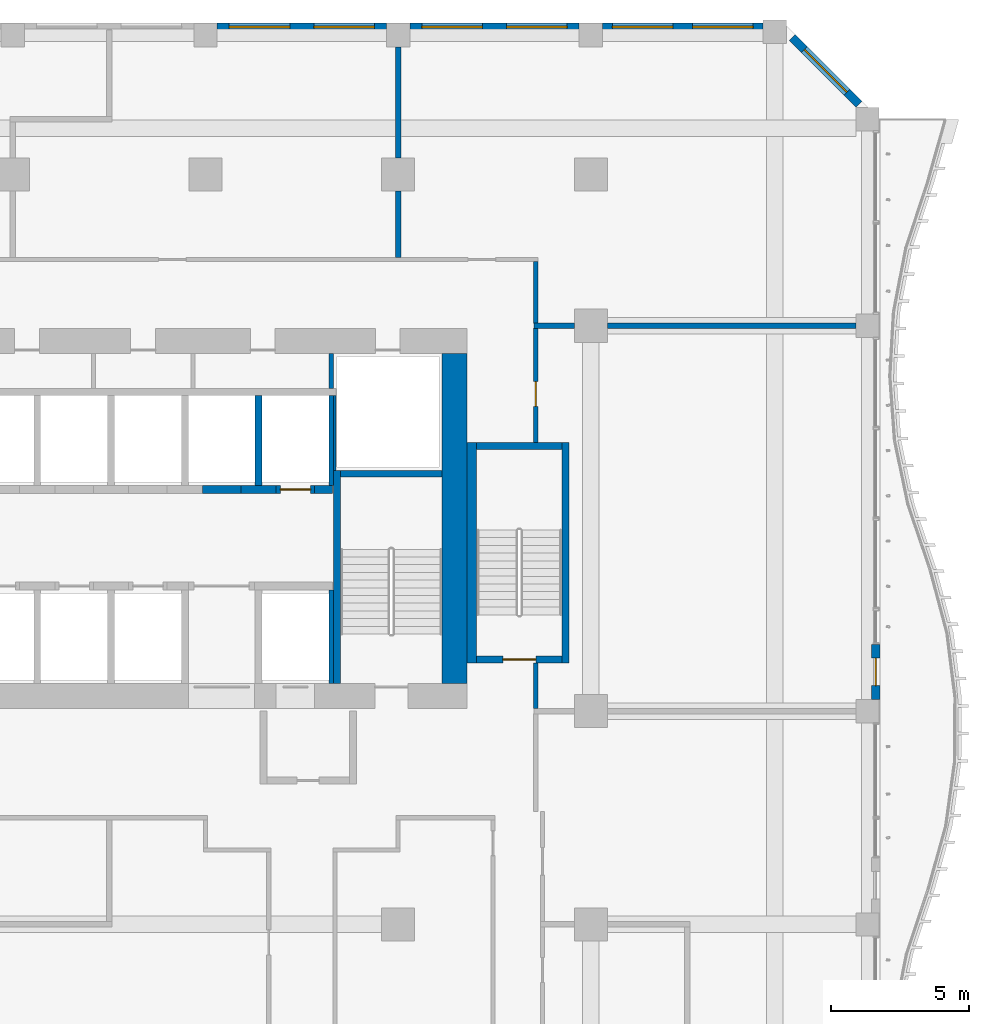
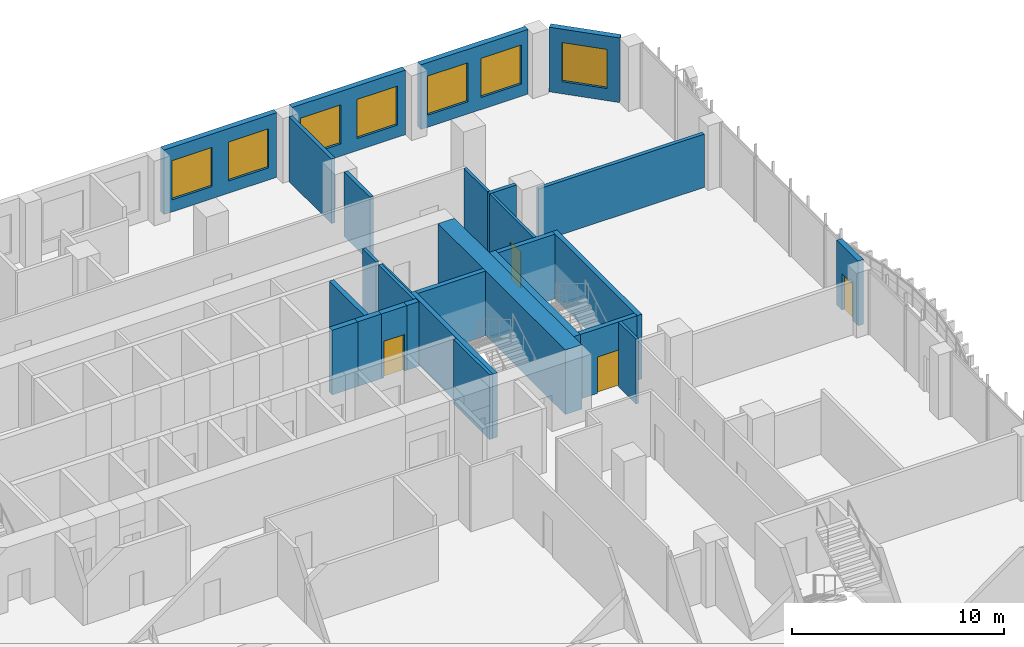
# One storey, part 15 of 26: 28 walls, 7 windows, 4 doors, 11 openings.
"""IFC4 building model written with IfcOpenShell, lengths in metres."""

import ifcopenshell
import ifcopenshell.guid

model = None  # the IFC model being written
_history = None  # IfcOwnerHistory: only IFC2X3 demands one
_inside = {}  # id of a spatial element -> (the spatial element, [elements in it])
_under = {}  # id of a project, library or spatial element -> (it, [spatial elements below it])
_declared = {}  # id of a project -> (the project, [libraries it declares])
_typed = {}  # id of a type object -> (the type object, [elements of that type])
_made_of = {}  # id of a material, layer set ... -> (it, [elements and type objects made of it])


def new_model(schema):
    """Start an empty IFC model of exactly this schema.

    Asked for "IFC4X3", IfcOpenShell would pick the latest addendum, in which some entities
    have other attributes; the version numbers below select the first issue.
    IFC2X3 requires an IfcOwnerHistory on every rooted entity: one is made here for all.
    """
    global model, _history
    if schema == "IFC4X3":
        model = ifcopenshell.file(schema_version=(4, 3, 0, 0))
    else:
        model = ifcopenshell.file(schema=schema)
    _inside.clear()
    _under.clear()
    _declared.clear()
    _typed.clear()
    _made_of.clear()
    _history = None
    if model.schema == "IFC2X3":
        org = make("IfcOrganization", Name="unknown")
        user = make(
            "IfcPersonAndOrganization",
            ThePerson=make("IfcPerson", FamilyName="unknown"),
            TheOrganization=org,
        )
        app = make(
            "IfcApplication",
            ApplicationDeveloper=org,
            Version="unknown",
            ApplicationFullName="unknown",
            ApplicationIdentifier="unknown",
        )
        _history = make(
            "IfcOwnerHistory",
            OwningUser=user,
            OwningApplication=app,
            ChangeAction="ADDED",
            CreationDate=0,
        )
    return model


def make(cls, **values):
    """One entity of the class cls with the attributes given. An attribute that is None is left unset."""
    return model.create_entity(
        cls, **{name: value for name, value in values.items() if value is not None}
    )


def rooted(cls, **values):
    """An entity with a GlobalId (a new one), such as an element, a storey or a relation."""
    return make(cls, GlobalId=ifcopenshell.guid.new(), OwnerHistory=_history, **values)


def si_unit(unit_type, name, prefix=None):
    """IfcSIUnit, for example si_unit("LENGTHUNIT", "METRE", prefix="MILLI")."""
    return make("IfcSIUnit", UnitType=unit_type, Prefix=prefix, Name=name)


def assignment(units):
    """IfcUnitAssignment: the units of a project."""
    return None if units is None else make("IfcUnitAssignment", Units=units)


def point(xyz):
    """IfcCartesianPoint."""
    return None if xyz is None else make("IfcCartesianPoint", Coordinates=xyz)


def direction(xyz):
    """IfcDirection."""
    return None if xyz is None else make("IfcDirection", DirectionRatios=xyz)


def frame(location, z_axis=None, x_axis=None):
    """IfcAxis2Placement3D, a coordinate frame: its origin and axes. An axis left out is left unset."""
    return make(
        "IfcAxis2Placement3D",
        Location=point(location),
        Axis=direction(z_axis),
        RefDirection=direction(x_axis),
    )


def frame_2d(location, x_axis=None):
    """IfcAxis2Placement2D, a coordinate frame in the plane: its origin and x axis."""
    return make(
        "IfcAxis2Placement2D", Location=point(location), RefDirection=direction(x_axis)
    )


def origin():
    """The frame at (0, 0, 0) with its axes left unset."""
    return frame((0.0, 0.0, 0.0))


def place(relative_to, where):
    """IfcLocalPlacement: puts the frame where relative to a parent placement (None: the world)."""
    return make(
        "IfcLocalPlacement", PlacementRelTo=relative_to, RelativePlacement=where
    )


def context(
    kind, dimensions, precision=None, world=None, true_north=None, identifier=None
):
    """IfcGeometricRepresentationContext, for example the 3D "Model" context."""
    return make(
        "IfcGeometricRepresentationContext",
        ContextIdentifier=identifier,
        ContextType=kind,
        CoordinateSpaceDimension=dimensions,
        Precision=precision,
        WorldCoordinateSystem=world,
        TrueNorth=true_north,
    )


def subcontext(parent, identifier, kind, view, scale=None):
    """IfcGeometricRepresentationSubContext, for example "Body" below "Model"."""
    return make(
        "IfcGeometricRepresentationSubContext",
        ContextIdentifier=identifier,
        ContextType=kind,
        ParentContext=parent,
        TargetScale=scale,
        TargetView=view,
    )


def project(units=None, contexts=None):
    """IfcProject with its units and contexts."""
    return rooted(
        "IfcProject",
        Name="project",
        RepresentationContexts=contexts,
        UnitsInContext=assignment(units),
    )


def spatial(cls, under=None, at=None, **own):
    """A site, building, storey or space (cls), placed at a placement, below another one or the project."""
    s = rooted(cls, ObjectPlacement=at, **own)
    if under is not None:
        _under.setdefault(under.id(), (under, []))[1].append(s)
    return s


def profile(cls, at=None, kind="AREA", **sizes):
    """A parametric profile (cls). Its sizes go by their IFC names, for example OverallWidth=200.0."""
    return make(cls, ProfileType=kind, Position=at, **sizes)


def rectangle(**sizes):
    """IfcRectangleProfileDef."""
    return profile("IfcRectangleProfileDef", **sizes)


def extrude(swept, where, along, depth):
    """IfcExtrudedAreaSolid: the profile swept, set in the frame where, extruded along a direction by depth."""
    return make(
        "IfcExtrudedAreaSolid",
        SweptArea=swept,
        Position=where,
        ExtrudedDirection=direction(along),
        Depth=depth,
    )


def shape(context_of_items, identifier, shape_type, items):
    """IfcShapeRepresentation: the items that make up one representation, for example the "Body"."""
    return make(
        "IfcShapeRepresentation",
        ContextOfItems=context_of_items,
        RepresentationIdentifier=identifier,
        RepresentationType=shape_type,
        Items=items,
    )


def source(mapping_origin, context_of_items, identifier, shape_type, items):
    """IfcRepresentationMap: a shape defined once, which mapped items show again and again."""
    return make(
        "IfcRepresentationMap",
        MappingOrigin=mapping_origin,
        MappedRepresentation=shape(context_of_items, identifier, shape_type, items),
    )


def transform(
    local_origin,
    x_axis=None,
    y_axis=None,
    z_axis=None,
    scale=None,
    scale2=None,
    scale3=None,
    uniform=True,
):
    """IfcCartesianTransformationOperator3D, or its non-uniform kind. x_axis, y_axis, z_axis: its Axis1, 2, 3."""
    if uniform:
        return make(
            "IfcCartesianTransformationOperator3D",
            Axis1=direction(x_axis),
            Axis2=direction(y_axis),
            LocalOrigin=point(local_origin),
            Scale=scale,
            Axis3=direction(z_axis),
        )
    return make(
        "IfcCartesianTransformationOperator3DnonUniform",
        Axis1=direction(x_axis),
        Axis2=direction(y_axis),
        LocalOrigin=point(local_origin),
        Scale=scale,
        Axis3=direction(z_axis),
        Scale2=scale2,
        Scale3=scale3,
    )


def mapped(mapping_source, mapping_target):
    """IfcMappedItem: shows the shape of a source again, moved by a transform."""
    return make(
        "IfcMappedItem", MappingSource=mapping_source, MappingTarget=mapping_target
    )


def material(Name=None, Category=None):
    """IfcMaterial."""
    return make("IfcMaterial", Name=Name, Category=Category)


def layer(
    of_material, thickness, ventilated=None, Name=None, Category=None, Priority=None
):
    """IfcMaterialLayer: one layer of a wall or slab, of a material (None: an air gap)."""
    return make(
        "IfcMaterialLayer",
        Material=of_material,
        LayerThickness=thickness,
        IsVentilated=ventilated,
        Name=Name,
        Category=Category,
        Priority=Priority,
    )


def layer_set(layers, Name=None):
    """IfcMaterialLayerSet."""
    return make("IfcMaterialLayerSet", MaterialLayers=layers, LayerSetName=Name)


def made_of(thing, what):
    """Note that an element or type object is made of a material, layer set ...; save() writes the relation."""
    if what is not None:
        _made_of.setdefault(what.id(), (what, []))[1].append(thing)
    return thing


def type_object(cls, material=None, **own):
    """A type object (cls), such as IfcWallType, which elements share."""
    return made_of(rooted(cls, **own), material)


def element(
    cls,
    number,
    at=None,
    inside=None,
    cuts=None,
    type_object=None,
    material=None,
    context=None,
    identifier="Body",
    shape_type=None,
    held_by="IfcProductDefinitionShape",
    body=None,
    shapes=None,
    **own,
):
    """One element of the class cls, such as IfcWall. Its Tag is "e" and its number.

    at: its placement. inside: the storey or other place that contains it. cuts: it is an
    opening in that element (IfcRelVoidsElement). A single representation is given by context,
    identifier, shape_type and body (its items); several are given by shapes. held_by: the class
    of the entity that holds the representations. save() writes the other relations.
    """
    e = rooted(cls, Tag="e%d" % number, ObjectPlacement=at, **own)
    if body is not None:
        shapes = [shape(context, identifier, shape_type, body)]
    if shapes is not None:
        e.Representation = make(held_by, Representations=shapes)
    if inside is not None:
        _inside.setdefault(inside.id(), (inside, []))[1].append(e)
    if cuts is not None:
        rooted(
            "IfcRelVoidsElement", RelatingBuildingElement=cuts, RelatedOpeningElement=e
        )
    if type_object is not None:
        _typed.setdefault(type_object.id(), (type_object, []))[1].append(e)
    return made_of(e, material)


def fill(opening, filler):
    """IfcRelFillsElement: the door or window that sits in an opening."""
    return rooted(
        "IfcRelFillsElement",
        RelatingOpeningElement=opening,
        RelatedBuildingElement=filler,
    )


def aggregate(whole, parts):
    """IfcRelAggregates: a whole, such as a stair, and the parts it consists of."""
    return rooted("IfcRelAggregates", RelatingObject=whole, RelatedObjects=parts)


def save(model, path):
    """Write the relations noted so far, then the file.

    IfcRelAggregates (storeys below a building ...), IfcRelContainedInSpatialStructure (elements
    in a storey), IfcRelDefinesByType, IfcRelAssociatesMaterial and IfcRelDeclares: one each for
    every whole, place, type object, material and project.
    """
    for whole, parts in _under.values():
        aggregate(whole, parts)
    for where, things in _inside.values():
        rooted(
            "IfcRelContainedInSpatialStructure",
            RelatedElements=things,
            RelatingStructure=where,
        )
    for kind, things in _typed.values():
        rooted("IfcRelDefinesByType", RelatedObjects=things, RelatingType=kind)
    for what, things in _made_of.values():
        rooted("IfcRelAssociatesMaterial", RelatedObjects=things, RelatingMaterial=what)
    for by, libraries in _declared.values():
        rooted("IfcRelDeclares", RelatingContext=by, RelatedDefinitions=libraries)
    model.write(path)


model = new_model("IFC4")

# Units and contexts
model_context = context("Model", 3, precision=1e-05, world=origin(), true_north=direction((0.0, 1.0)))
body_context = subcontext(model_context, "Body", "Model", "MODEL_VIEW")
ifc_project = project(units=[si_unit("LENGTHUNIT", "METRE"), si_unit("AREAUNIT", "SQUARE_METRE"), si_unit("VOLUMEUNIT", "CUBIC_METRE"), si_unit("PLANEANGLEUNIT", "RADIAN"), si_unit("MASSUNIT", "GRAM", prefix="KILO")], contexts=[model_context])

# Site, building, storey
site_placement = place(None, origin())
site = spatial("IfcSite", under=ifc_project, at=site_placement, CompositionType="ELEMENT")
building_placement = place(site_placement, origin())
building = spatial("IfcBuilding", under=site, at=building_placement, Name="Kilnfold Tower and Market Hall", CompositionType="ELEMENT")
storey_placement = place(building_placement, frame((0.0, 0.0, 108.60009765625)))
storey = spatial("IfcBuildingStorey", under=building, at=storey_placement, Name="L25", CompositionType="ELEMENT", Elevation=108.60009765625)

# Wall, opening, door
ifc_material_1 = material(Name="Gypsum board on steel studs", Category="steel")
ifc_layer_1 = layer(ifc_material_1, 0.14990234375)
ifc_layer_set_1 = layer_set([ifc_layer_1], Name="Gypsum board on steel studs")
wall_type_1 = type_object("IfcWallType", Name="WALL CORRIDOR 150", PredefinedType="PARTITIONING", material=ifc_layer_set_1)
wall_1_placement = place(storey_placement, frame((20.5, 17.75, 0.0), z_axis=(0.0, 0.0, 1.0), x_axis=(0.0, 1.0, 0.0)))
wall_1 = element("IfcWall", 1, at=wall_1_placement, inside=storey, type_object=wall_type_1, Name="Partition LY16.31", PredefinedType="PARTITIONING", context=body_context, shape_type="SweptSolid", body=[
    extrude(rectangle(XDim=4.159912109375, YDim=0.14990234375, at=frame_2d((2.080078125, 0.0))), origin(), (0.0, 0.0, 1.0), 3.719970703125),
])
opening_1_placement = place(wall_1_placement, frame((1.323974609375, 0.0, 0.0)))
opening_1 = element("IfcOpeningElement", 2, at=opening_1_placement, cuts=wall_1, Name="Opening D2", PredefinedType="OPENING", context=body_context, shape_type="SweptSolid", body=[
    extrude(rectangle(XDim=0.89990234375, YDim=2.10009765625, at=frame_2d((0.449951171875, 1.050048828125))), frame((0.0, 0.0849609375, 0.0), z_axis=(0.0, -1.0, 0.0), x_axis=(1.0, 0.0, 0.0)), (0.0, 0.0, 1.0), 0.169921875),
])
ifc_material_2 = material(Name="Timber veneer door leaf in steel frame", Category="steel")
door_type_1 = type_object("IfcDoorType", Name="DOOR ROOM 900 X2100", OperationType="NOTDEFINED", PredefinedType="DOOR", material=ifc_material_2)
door_1_placement = place(opening_1_placement, origin())
door_1 = element("IfcDoor", 3, at=door_1_placement, inside=storey, type_object=door_type_1, Name="Door D2", OperationType="SINGLE_SWING_RIGHT", OverallHeight=2.10009765625, OverallWidth=0.89990234375, PredefinedType="DOOR", context=body_context, shape_type="SweptSolid", body=[
    extrude(rectangle(XDim=0.89990234375, YDim=2.10009765625, at=frame_2d((0.449951171875, 1.050048828125))), frame((0.0, 0.02490234375, 0.0), z_axis=(0.0, -1.0, 0.0), x_axis=(1.0, 0.0, 0.0)), (0.0, 0.0, 1.0), 0.050048828125),
])
fill(opening_1, door_1)

# Walls
wall_2_placement = place(storey_placement, frame((20.5, 8.090087890625, 0.0), z_axis=(0.0, 0.0, 1.0), x_axis=(0.0, 1.0, 0.0)))
element("IfcWall", 4, at=wall_2_placement, inside=storey, type_object=wall_type_1, Name="Partition LY16.32", PredefinedType="PARTITIONING", context=body_context, shape_type="SweptSolid", body=[
    extrude(rectangle(XDim=1.659912109375, YDim=0.14990234375, at=frame_2d((0.830078125, 0.0))), origin(), (0.0, 0.0, 1.0), 3.719970703125),
])
wall_3_placement = place(storey_placement, frame((20.5, 22.090087890625, 0.0), z_axis=(0.0, 0.0, 1.0), x_axis=(0.0, 1.0, 0.0)))
element("IfcWall", 5, at=wall_3_placement, inside=storey, type_object=wall_type_1, Name="Partition LY16.33", PredefinedType="PARTITIONING", context=body_context, shape_type="SweptSolid", body=[
    extrude(rectangle(XDim=2.23486328125, YDim=0.14990234375, at=frame_2d((1.117431640625, 0.0))), origin(), (0.0, 0.0, 1.0), 3.719970703125),
])
ifc_material_3 = material(Name="Gypsum board on steel studs", Category="steel")
ifc_layer_2 = layer(ifc_material_3, 0.199951171875)
ifc_layer_set_2 = layer_set([ifc_layer_2], Name="Gypsum board on steel studs")
wall_type_2 = type_object("IfcWallType", Name="WALL PARTY 200", PredefinedType="PARTITIONING", material=ifc_layer_set_2)
wall_4_placement = place(storey_placement, frame((23.10009765625, 22.0, 0.0), z_axis=(0.0, 0.0, 1.0), x_axis=(1.0, 0.0, 0.0)))
element("IfcWall", 6, at=wall_4_placement, inside=storey, type_object=wall_type_2, Name="Partition LY16.59", PredefinedType="PARTITIONING", context=body_context, shape_type="SweptSolid", body=[
    extrude(rectangle(XDim=9.02490234375, YDim=0.199951171875, at=frame_2d((4.512451171875, 0.0))), origin(), (0.0, 0.0, 1.0), 3.06982421875),
])
wall_5_placement = place(storey_placement, frame((20.426025390625, 22.0, 0.0), z_axis=(0.0, 0.0, 1.0), x_axis=(1.0, 0.0, 0.0)))
element("IfcWall", 7, at=wall_5_placement, inside=storey, type_object=wall_type_2, Name="Partition LY16.60", PredefinedType="PARTITIONING", context=body_context, shape_type="SweptSolid", body=[
    extrude(rectangle(XDim=1.473876953125, YDim=0.199951171875, at=frame_2d((0.73681640625, 0.0))), origin(), (0.0, 0.0, 1.0), 3.719970703125),
])
wall_6_placement = place(storey_placement, frame((15.5, 28.10009765625, 0.0), z_axis=(0.0, 0.0, 1.0), x_axis=(0.0, 1.0, 0.0)))
element("IfcWall", 8, at=wall_6_placement, inside=storey, type_object=wall_type_2, Name="Partition LY16.61", PredefinedType="PARTITIONING", context=body_context, shape_type="SweptSolid", body=[
    extrude(rectangle(XDim=4.02490234375, YDim=0.199951171875, at=frame_2d((2.012451171875, 0.0))), origin(), (0.0, 0.0, 1.0), 3.719970703125),
])
wall_7_placement = place(storey_placement, frame((15.5, 24.47607421875, 0.0), z_axis=(0.0, 0.0, 1.0), x_axis=(0.0, 1.0, 0.0)))
element("IfcWall", 9, at=wall_7_placement, inside=storey, type_object=wall_type_2, Name="Partition LY16.62", PredefinedType="PARTITIONING", context=body_context, shape_type="SweptSolid", body=[
    extrude(rectangle(XDim=2.423828125, YDim=0.199951171875, at=frame_2d((1.2119140625, 0.0))), origin(), (0.0, 0.0, 1.0), 3.719970703125),
])
ifc_material_4 = material(Name="Concrete C70", Category="concrete")
ifc_layer_3 = layer(ifc_material_4, 0.25)
ifc_layer_set_3 = layer_set([ifc_layer_3], Name="Concrete C70")
wall_type_3 = type_object("IfcWallType", Name="CORE WALL 250 C70", PredefinedType="SHEAR", material=ifc_layer_set_3)
shared_shape_1 = source(origin(), body_context, "Body", "SweptSolid", [
    extrude(rectangle(XDim=7.75, YDim=0.25, at=frame_2d((3.875, 0.0))), origin(), (0.0, 0.0, 1.0), 3.719970703125),
])
wall_8_placement = place(storey_placement, frame((13.27490234375, 9.0, 0.0), z_axis=(0.0, 0.0, 1.0), x_axis=(0.0, 1.0, 0.0)))
element("IfcWall", 10, at=wall_8_placement, inside=storey, type_object=wall_type_3, Name="Stair enclosure ST2", PredefinedType="SHEAR", context=body_context, shape_type="MappedRepresentation", body=[
    mapped(shared_shape_1, transform((0.0, 0.0, 0.0))),
])
shared_shape_2 = source(origin(), body_context, "Body", "SweptSolid", [
    extrude(rectangle(XDim=3.7001953125, YDim=0.25, at=frame_2d((1.85009765625, 0.0))), origin(), (0.0, 0.0, 1.0), 3.719970703125),
])
wall_9_placement = place(storey_placement, frame((13.39990234375, 16.625, 0.0), z_axis=(0.0, 0.0, 1.0), x_axis=(1.0, 0.0, 0.0)))
element("IfcWall", 11, at=wall_9_placement, inside=storey, type_object=wall_type_3, Name="Stair enclosure ST2", PredefinedType="SHEAR", context=body_context, shape_type="MappedRepresentation", body=[
    mapped(shared_shape_2, transform((0.0, 0.0, 0.0))),
])
shared_shape_3 = source(origin(), body_context, "Body", "SweptSolid", [
    extrude(rectangle(XDim=8.0, YDim=0.25, at=frame_2d((4.0, 0.0))), origin(), (0.0, 0.0, 1.0), 3.719970703125),
])
wall_10_placement = place(storey_placement, frame((21.574951171875, 9.75, 0.0), z_axis=(0.0, 0.0, 1.0), x_axis=(0.0, 1.0, 0.0)))
element("IfcWall", 12, at=wall_10_placement, inside=storey, type_object=wall_type_3, Name="Stair enclosure ST5", PredefinedType="SHEAR", context=body_context, shape_type="MappedRepresentation", body=[
    mapped(shared_shape_3, transform((0.0, 0.0, 0.0))),
])

# Wall, opening, door
shared_shape_4 = source(origin(), body_context, "Body", "SweptSolid", [
    extrude(rectangle(XDim=3.099853515625, YDim=0.25, at=frame_2d((1.5498046875, 0.0))), origin(), (0.0, 0.0, 1.0), 3.719970703125),
])
wall_11_placement = place(storey_placement, frame((18.35009765625, 9.875, 0.0), z_axis=(0.0, 0.0, 1.0), x_axis=(1.0, 0.0, 0.0)))
wall_11 = element("IfcWall", 13, at=wall_11_placement, inside=storey, type_object=wall_type_3, Name="Stair enclosure ST5", PredefinedType="SHEAR", context=body_context, shape_type="MappedRepresentation", body=[
    mapped(shared_shape_4, transform((0.0, 0.0, 0.0))),
])
opening_2_placement = place(wall_11_placement, frame((0.949951171875, 0.0, 0.0)))
opening_2 = element("IfcOpeningElement", 14, at=opening_2_placement, cuts=wall_11, Name="Opening SD1", PredefinedType="OPENING", context=body_context, shape_type="SweptSolid", body=[
    extrude(rectangle(XDim=1.199951171875, YDim=2.10009765625, at=frame_2d((0.60009765625, 1.050048828125))), frame((0.0, 0.135009765625, 0.0), z_axis=(0.0, -1.0, 0.0), x_axis=(1.0, 0.0, 0.0)), (0.0, 0.0, 1.0), 0.27001953125),
])
ifc_material_5 = material(Name="Steel door set with fire-resisting leaf", Category="steel")
door_type_2 = type_object("IfcDoorType", Name="STAIR FLOOR DOOR 1200X2100", OperationType="NOTDEFINED", PredefinedType="DOOR", material=ifc_material_5)
door_2_placement = place(opening_2_placement, origin())
door_2 = element("IfcDoor", 15, at=door_2_placement, inside=storey, type_object=door_type_2, Name="Exit stair ST5 door", OperationType="DOUBLE_DOOR_SINGLE_SWING", OverallHeight=2.10009765625, OverallWidth=1.199951171875, PredefinedType="DOOR", context=body_context, shape_type="SweptSolid", body=[
    extrude(rectangle(XDim=1.199951171875, YDim=2.10009765625, at=frame_2d((0.60009765625, 1.050048828125))), frame((0.0, 0.02490234375, 0.0), z_axis=(0.0, -1.0, 0.0), x_axis=(1.0, 0.0, 0.0)), (0.0, 0.0, 1.0), 0.050048828125),
])
fill(opening_2, door_2)

# Walls
wall_12_placement = place(storey_placement, frame((18.35009765625, 17.625, 0.0), z_axis=(0.0, 0.0, 1.0), x_axis=(1.0, 0.0, 0.0)))
element("IfcWall", 16, at=wall_12_placement, inside=storey, type_object=wall_type_3, Name="Stair enclosure ST5", PredefinedType="SHEAR", context=body_context, shape_type="MappedRepresentation", body=[
    mapped(shared_shape_4, transform((0.0, 0.0, 0.0))),
])
ifc_material_6 = material(Name="Concrete C70", Category="concrete")
ifc_layer_4 = layer(ifc_material_6, 0.300048828125)
ifc_layer_set_4 = layer_set([ifc_layer_4], Name="Concrete C70")
wall_type_4 = type_object("IfcWallType", Name="CORE WALL 300 C70", PredefinedType="SHEAR", material=ifc_layer_set_4)
shared_shape_5 = source(origin(), body_context, "Body", "SweptSolid", [
    extrude(rectangle(XDim=1.280029296875, YDim=0.300048828125, at=frame_2d((0.64013671875, 0.0))), origin(), (0.0, 0.0, 1.0), 3.719970703125),
])
wall_13_placement = place(storey_placement, frame((9.7900390625, 16.050048828125, 0.0), z_axis=(0.0, 0.0, 1.0), x_axis=(1.0, 0.0, 0.0)))
element("IfcWall", 17, at=wall_13_placement, inside=storey, type_object=wall_type_4, Name="Core spine wall", PredefinedType="SHEAR", context=body_context, shape_type="MappedRepresentation", body=[
    mapped(shared_shape_5, transform((0.0, 0.0, 0.0))),
])
shared_shape_6 = source(origin(), body_context, "Body", "SweptSolid", [
    extrude(rectangle(XDim=0.64013671875, YDim=0.300048828125, at=frame_2d((0.320068359375, 0.0))), origin(), (0.0, 0.0, 1.0), 3.719970703125),
])
wall_14_placement = place(storey_placement, frame((12.469970703125, 16.050048828125, 0.0), z_axis=(0.0, 0.0, 1.0), x_axis=(1.0, 0.0, 0.0)))
element("IfcWall", 18, at=wall_14_placement, inside=storey, type_object=wall_type_4, Name="Core spine wall", PredefinedType="SHEAR", context=body_context, shape_type="MappedRepresentation", body=[
    mapped(shared_shape_6, transform((0.0, 0.0, 0.0))),
])
ifc_material_7 = material(Name="Concrete C70", Category="concrete")
ifc_layer_5 = layer(ifc_material_7, 0.89990234375)
ifc_layer_set_5 = layer_set([ifc_layer_5], Name="Concrete C70")
wall_type_5 = type_object("IfcWallType", Name="CORE WALL 900 C70", PredefinedType="SHEAR", material=ifc_layer_set_5)
shared_shape_7 = source(origin(), body_context, "Body", "SweptSolid", [
    extrude(rectangle(XDim=12.0, YDim=0.89990234375, at=frame_2d((6.0, 0.0))), origin(), (0.0, 0.0, 1.0), 3.719970703125),
])
wall_15_placement = place(storey_placement, frame((17.550048828125, 9.0, 0.0), z_axis=(0.0, 0.0, 1.0), x_axis=(0.0, 1.0, 0.0)))
element("IfcWall", 19, at=wall_15_placement, inside=storey, type_object=wall_type_5, Name="Core outer wall east", PredefinedType="SHEAR", context=body_context, shape_type="MappedRepresentation", body=[
    mapped(shared_shape_7, transform((0.0, 0.0, 0.0))),
])
ifc_material_8 = material(Name="Concrete C70", Category="concrete")
ifc_layer_6 = layer(ifc_material_8, 0.35009765625)
ifc_layer_set_6 = layer_set([ifc_layer_6], Name="Concrete C70")
wall_type_6 = type_object("IfcWallType", Name="CORE WALL 350 C70", PredefinedType="SHEAR", material=ifc_layer_set_6)
shared_shape_8 = source(origin(), body_context, "Body", "SweptSolid", [
    extrude(rectangle(XDim=8.0, YDim=0.35009765625, at=frame_2d((4.0, 0.0))), origin(), (0.0, 0.0, 1.0), 3.719970703125),
])
wall_16_placement = place(storey_placement, frame((18.175048828125, 9.75, 0.0), z_axis=(0.0, 0.0, 1.0), x_axis=(0.0, 1.0, 0.0)))
element("IfcWall", 20, at=wall_16_placement, inside=storey, type_object=wall_type_6, Name="Stair enclosure ST5", PredefinedType="SHEAR", context=body_context, shape_type="MappedRepresentation", body=[
    mapped(shared_shape_8, transform((0.0, 0.0, 0.0))),
])

# Wall, opening, door
ifc_material_9 = material(Name="Precast concrete C50/60", Category="concrete")
ifc_layer_7 = layer(ifc_material_9, 0.300048828125)
ifc_layer_set_7 = layer_set([ifc_layer_7], Name="Precast concrete C50/60")
wall_type_7 = type_object("IfcWallType", Name="PRECAST WALL 300", PredefinedType="SOLIDWALL", material=ifc_layer_set_7)
shared_shape_9 = source(origin(), body_context, "Body", "SweptSolid", [
    extrude(rectangle(XDim=2.0, YDim=0.300048828125, at=frame_2d((1.0, 0.0))), origin(), (0.0, 0.0, 1.0), 3.719970703125),
])
wall_17_placement = place(storey_placement, frame((32.85009765625, 8.425048828125, 0.0), z_axis=(0.0, 0.0, 1.0), x_axis=(0.0, 1.0, 0.0)))
wall_17 = element("IfcWall", 21, at=wall_17_placement, inside=storey, type_object=wall_type_7, Name="External wall L25 E", PredefinedType="SOLIDWALL", context=body_context, shape_type="MappedRepresentation", body=[
    mapped(shared_shape_9, transform((0.0, 0.0, 0.0))),
])
opening_3_placement = place(wall_17_placement, frame((0.5, 0.0, 0.0)))
opening_3 = element("IfcOpeningElement", 22, at=opening_3_placement, cuts=wall_17, Name="Opening BD1", PredefinedType="OPENING", context=body_context, shape_type="SweptSolid", body=[
    extrude(rectangle(XDim=1.0, YDim=2.10009765625, at=frame_2d((0.5, 1.050048828125))), frame((0.0, 0.16015625, 0.0), z_axis=(0.0, -1.0, 0.0), x_axis=(1.0, 0.0, 0.0)), (0.0, 0.0, 1.0), 0.320068359375),
])
ifc_material_10 = material(Name="Aluminium frame and double glazing", Category="aluminium")
door_type_3 = type_object("IfcDoorType", Name="BALCONY DOOR 1000X2100", OperationType="NOTDEFINED", PredefinedType="DOOR", material=ifc_material_10)
door_3_placement = place(opening_3_placement, origin())
door_3 = element("IfcDoor", 23, at=door_3_placement, inside=storey, type_object=door_type_3, Name="Balcony door BD1 L25 E-1", OperationType="SINGLE_SWING_LEFT", OverallHeight=2.10009765625, OverallWidth=1.0, PredefinedType="DOOR", context=body_context, shape_type="SweptSolid", body=[
    extrude(rectangle(XDim=1.0, YDim=2.10009765625, at=frame_2d((0.5, 1.050048828125))), frame((0.0, 0.02490234375, 0.0), z_axis=(0.0, -1.0, 0.0), x_axis=(1.0, 0.0, 0.0)), (0.0, 0.0, 1.0), 0.050048828125),
])
fill(opening_3, door_3)

# Wall, opening, window
shared_shape_10 = source(origin(), body_context, "Body", "SweptSolid", [
    extrude(rectangle(XDim=3.429443359375, YDim=0.300048828125, at=frame_2d((1.71484375, 0.0))), origin(), (0.0, 0.0, 1.0), 3.719970703125),
])
wall_18_placement = place(storey_placement, frame((32.243896484375, 30.0439453125, 0.0), z_axis=(0.0, 0.0, 1.0), x_axis=(-0.707106781187, 0.707106781187, 0.0)))
wall_18 = element("IfcWall", 24, at=wall_18_placement, inside=storey, type_object=wall_type_7, Name="External wall L25 NE", PredefinedType="SOLIDWALL", context=body_context, shape_type="MappedRepresentation", body=[
    mapped(shared_shape_10, transform((0.0, 0.0, 0.0))),
])
opening_4_placement = place(wall_18_placement, frame((0.61474609375, 0.0, 0.699951171875)))
opening_4 = element("IfcOpeningElement", 25, at=opening_4_placement, cuts=wall_18, Name="Opening W1", PredefinedType="OPENING", context=body_context, shape_type="SweptSolid", body=[
    extrude(rectangle(XDim=2.199951171875, YDim=2.25, at=frame_2d((1.10009765625, 1.125))), frame((0.0, 0.16015625, 0.0), z_axis=(0.0, -1.0, 0.0), x_axis=(1.0, 0.0, 0.0)), (0.0, 0.0, 1.0), 0.320068359375),
])
ifc_material_11 = material(Name="Aluminium frame and double glazing", Category="aluminium")
window_type = type_object("IfcWindowType", Name="WINDOW W1 2200X2250", PartitioningType="SINGLE_PANEL", PredefinedType="WINDOW", material=ifc_material_11)
window_1_placement = place(opening_4_placement, origin())
window_1 = element("IfcWindow", 26, at=window_1_placement, inside=storey, type_object=window_type, Name="Window W1 L25 NE-1", OverallHeight=2.25, OverallWidth=2.199951171875, PartitioningType="SINGLE_PANEL", PredefinedType="WINDOW", context=body_context, shape_type="SweptSolid", body=[
    extrude(rectangle(XDim=2.199951171875, YDim=2.25, at=frame_2d((1.10009765625, 1.125))), frame((0.0, 0.030029296875, 0.0), z_axis=(0.0, -1.0, 0.0), x_axis=(1.0, 0.0, 0.0)), (0.0, 0.0, 1.0), 0.06005859375),
])
fill(opening_4, window_1)

# Wall, openings, windows
shared_shape_11 = source(origin(), body_context, "Body", "SweptSolid", [
    extrude(rectangle(XDim=5.831787109375, YDim=0.300048828125, at=frame_2d((2.916015625, 0.0))), origin(), (0.0, 0.0, 1.0), 3.719970703125),
])
wall_19_placement = place(storey_placement, frame((28.7568359375, 32.85009765625, 0.0), z_axis=(0.0, 0.0, 1.0), x_axis=(-1.0, 0.0, 0.0)))
wall_19 = element("IfcWall", 27, at=wall_19_placement, inside=storey, type_object=wall_type_7, Name="External wall L25 N", PredefinedType="SOLIDWALL", context=body_context, shape_type="MappedRepresentation", body=[
    mapped(shared_shape_11, transform((0.0, 0.0, 0.0))),
])
opening_5_placement = place(wall_19_placement, frame((0.35791015625, 0.0, 0.699951171875)))
opening_5 = element("IfcOpeningElement", 28, at=opening_5_placement, cuts=wall_19, Name="Opening W1", PredefinedType="OPENING", context=body_context, shape_type="SweptSolid", body=[
    extrude(rectangle(XDim=2.199951171875, YDim=2.25, at=frame_2d((1.10009765625, 1.125))), frame((0.0, 0.16015625, 0.0), z_axis=(0.0, -1.0, 0.0), x_axis=(1.0, 0.0, 0.0)), (0.0, 0.0, 1.0), 0.320068359375),
])
opening_6_placement = place(wall_19_placement, frame((3.273681640625, 0.0, 0.699951171875)))
opening_6 = element("IfcOpeningElement", 29, at=opening_6_placement, cuts=wall_19, Name="Opening W1", PredefinedType="OPENING", context=body_context, shape_type="SweptSolid", body=[
    extrude(rectangle(XDim=2.199951171875, YDim=2.25, at=frame_2d((1.10009765625, 1.125))), frame((0.0, 0.16015625, 0.0), z_axis=(0.0, -1.0, 0.0), x_axis=(1.0, 0.0, 0.0)), (0.0, 0.0, 1.0), 0.320068359375),
])
window_2_placement = place(opening_5_placement, origin())
window_2 = element("IfcWindow", 30, at=window_2_placement, inside=storey, type_object=window_type, Name="Window W1 L25 N-1", OverallHeight=2.25, OverallWidth=2.199951171875, PartitioningType="SINGLE_PANEL", PredefinedType="WINDOW", context=body_context, shape_type="SweptSolid", body=[
    extrude(rectangle(XDim=2.199951171875, YDim=2.25, at=frame_2d((1.10009765625, 1.125))), frame((0.0, 0.030029296875, 0.0), z_axis=(0.0, -1.0, 0.0), x_axis=(1.0, 0.0, 0.0)), (0.0, 0.0, 1.0), 0.06005859375),
])
fill(opening_5, window_2)
window_3_placement = place(opening_6_placement, origin())
window_3 = element("IfcWindow", 31, at=window_3_placement, inside=storey, type_object=window_type, Name="Window W1 L25 N-2", OverallHeight=2.25, OverallWidth=2.199951171875, PartitioningType="SINGLE_PANEL", PredefinedType="WINDOW", context=body_context, shape_type="SweptSolid", body=[
    extrude(rectangle(XDim=2.199951171875, YDim=2.25, at=frame_2d((1.10009765625, 1.125))), frame((0.0, 0.030029296875, 0.0), z_axis=(0.0, -1.0, 0.0), x_axis=(1.0, 0.0, 0.0)), (0.0, 0.0, 1.0), 0.06005859375),
])
fill(opening_6, window_3)

shared_shape_12 = source(origin(), body_context, "Body", "SweptSolid", [
    extrude(rectangle(XDim=6.14990234375, YDim=0.300048828125, at=frame_2d((3.074951171875, 0.0))), origin(), (0.0, 0.0, 1.0), 3.719970703125),
])
wall_20_placement = place(storey_placement, frame((22.074951171875, 32.85009765625, 0.0), z_axis=(0.0, 0.0, 1.0), x_axis=(-1.0, 0.0, 0.0)))
wall_20 = element("IfcWall", 32, at=wall_20_placement, inside=storey, type_object=wall_type_7, Name="External wall L25 N", PredefinedType="SOLIDWALL", context=body_context, shape_type="MappedRepresentation", body=[
    mapped(shared_shape_12, transform((0.0, 0.0, 0.0))),
])
opening_7_placement = place(wall_20_placement, frame((0.4375, 0.0, 0.699951171875)))
opening_7 = element("IfcOpeningElement", 33, at=opening_7_placement, cuts=wall_20, Name="Opening W1", PredefinedType="OPENING", context=body_context, shape_type="SweptSolid", body=[
    extrude(rectangle(XDim=2.199951171875, YDim=2.25, at=frame_2d((1.10009765625, 1.125))), frame((0.0, 0.16015625, 0.0), z_axis=(0.0, -1.0, 0.0), x_axis=(1.0, 0.0, 0.0)), (0.0, 0.0, 1.0), 0.320068359375),
])
opening_8_placement = place(wall_20_placement, frame((3.512451171875, 0.0, 0.699951171875)))
opening_8 = element("IfcOpeningElement", 34, at=opening_8_placement, cuts=wall_20, Name="Opening W1", PredefinedType="OPENING", context=body_context, shape_type="SweptSolid", body=[
    extrude(rectangle(XDim=2.199951171875, YDim=2.25, at=frame_2d((1.10009765625, 1.125))), frame((0.0, 0.16015625, 0.0), z_axis=(0.0, -1.0, 0.0), x_axis=(1.0, 0.0, 0.0)), (0.0, 0.0, 1.0), 0.320068359375),
])
window_4_placement = place(opening_7_placement, origin())
window_4 = element("IfcWindow", 35, at=window_4_placement, inside=storey, type_object=window_type, Name="Window W1 L25 N-1", OverallHeight=2.25, OverallWidth=2.199951171875, PartitioningType="SINGLE_PANEL", PredefinedType="WINDOW", context=body_context, shape_type="SweptSolid", body=[
    extrude(rectangle(XDim=2.199951171875, YDim=2.25, at=frame_2d((1.10009765625, 1.125))), frame((0.0, 0.030029296875, 0.0), z_axis=(0.0, -1.0, 0.0), x_axis=(1.0, 0.0, 0.0)), (0.0, 0.0, 1.0), 0.06005859375),
])
fill(opening_7, window_4)
window_5_placement = place(opening_8_placement, origin())
window_5 = element("IfcWindow", 36, at=window_5_placement, inside=storey, type_object=window_type, Name="Window W1 L25 N-2", OverallHeight=2.25, OverallWidth=2.199951171875, PartitioningType="SINGLE_PANEL", PredefinedType="WINDOW", context=body_context, shape_type="SweptSolid", body=[
    extrude(rectangle(XDim=2.199951171875, YDim=2.25, at=frame_2d((1.10009765625, 1.125))), frame((0.0, 0.030029296875, 0.0), z_axis=(0.0, -1.0, 0.0), x_axis=(1.0, 0.0, 0.0)), (0.0, 0.0, 1.0), 0.06005859375),
])
fill(opening_8, window_5)

wall_21_placement = place(storey_placement, frame((15.074951171875, 32.85009765625, 0.0), z_axis=(0.0, 0.0, 1.0), x_axis=(-1.0, 0.0, 0.0)))
wall_21 = element("IfcWall", 37, at=wall_21_placement, inside=storey, type_object=wall_type_7, Name="External wall L25 N", PredefinedType="SOLIDWALL", context=body_context, shape_type="MappedRepresentation", body=[
    mapped(shared_shape_12, transform((0.0, 0.0, 0.0))),
])
opening_9_placement = place(wall_21_placement, frame((0.4375, 0.0, 0.699951171875)))
opening_9 = element("IfcOpeningElement", 38, at=opening_9_placement, cuts=wall_21, Name="Opening W1", PredefinedType="OPENING", context=body_context, shape_type="SweptSolid", body=[
    extrude(rectangle(XDim=2.199951171875, YDim=2.25, at=frame_2d((1.10009765625, 1.125))), frame((0.0, 0.16015625, 0.0), z_axis=(0.0, -1.0, 0.0), x_axis=(1.0, 0.0, 0.0)), (0.0, 0.0, 1.0), 0.320068359375),
])
opening_10_placement = place(wall_21_placement, frame((3.512451171875, 0.0, 0.699951171875)))
opening_10 = element("IfcOpeningElement", 39, at=opening_10_placement, cuts=wall_21, Name="Opening W1", PredefinedType="OPENING", context=body_context, shape_type="SweptSolid", body=[
    extrude(rectangle(XDim=2.199951171875, YDim=2.25, at=frame_2d((1.10009765625, 1.125))), frame((0.0, 0.16015625, 0.0), z_axis=(0.0, -1.0, 0.0), x_axis=(1.0, 0.0, 0.0)), (0.0, 0.0, 1.0), 0.320068359375),
])
window_6_placement = place(opening_9_placement, origin())
window_6 = element("IfcWindow", 40, at=window_6_placement, inside=storey, type_object=window_type, Name="Window W1 L25 N-1", OverallHeight=2.25, OverallWidth=2.199951171875, PartitioningType="SINGLE_PANEL", PredefinedType="WINDOW", context=body_context, shape_type="SweptSolid", body=[
    extrude(rectangle(XDim=2.199951171875, YDim=2.25, at=frame_2d((1.10009765625, 1.125))), frame((0.0, 0.030029296875, 0.0), z_axis=(0.0, -1.0, 0.0), x_axis=(1.0, 0.0, 0.0)), (0.0, 0.0, 1.0), 0.06005859375),
])
fill(opening_9, window_6)
window_7_placement = place(opening_10_placement, origin())
window_7 = element("IfcWindow", 41, at=window_7_placement, inside=storey, type_object=window_type, Name="Window W1 L25 N-2", OverallHeight=2.25, OverallWidth=2.199951171875, PartitioningType="SINGLE_PANEL", PredefinedType="WINDOW", context=body_context, shape_type="SweptSolid", body=[
    extrude(rectangle(XDim=2.199951171875, YDim=2.25, at=frame_2d((1.10009765625, 1.125))), frame((0.0, 0.030029296875, 0.0), z_axis=(0.0, -1.0, 0.0), x_axis=(1.0, 0.0, 0.0)), (0.0, 0.0, 1.0), 0.06005859375),
])
fill(opening_10, window_7)

# Wall, opening, door
ifc_material_12 = material(Name="Gypsum shaft wall system")
ifc_layer_8 = layer(ifc_material_12, 0.300048828125)
ifc_layer_set_8 = layer_set([ifc_layer_8], Name="Gypsum shaft wall system")
wall_type_8 = type_object("IfcWallType", Name="SHAFT WALL 300", PredefinedType="PARTITIONING", material=ifc_layer_set_8)
shared_shape_13 = source(origin(), body_context, "Body", "SweptSolid", [
    extrude(rectangle(XDim=1.39990234375, YDim=0.300048828125, at=frame_2d((0.699951171875, 0.0))), origin(), (0.0, 0.0, 1.0), 3.719970703125),
])
wall_22_placement = place(storey_placement, frame((11.070068359375, 16.050048828125, 0.0), z_axis=(0.0, 0.0, 1.0), x_axis=(1.0, 0.0, 0.0)))
wall_22 = element("IfcWall", 42, at=wall_22_placement, inside=storey, type_object=wall_type_8, Name="Lift shaft front wall", PredefinedType="PARTITIONING", context=body_context, shape_type="MappedRepresentation", body=[
    mapped(shared_shape_13, transform((0.0, 0.0, 0.0))),
])
opening_11_placement = place(wall_22_placement, frame((0.14990234375, 0.0, 0.0)))
opening_11 = element("IfcOpeningElement", 43, at=opening_11_placement, cuts=wall_22, Name="Opening LD2", PredefinedType="OPENING", context=body_context, shape_type="SweptSolid", body=[
    extrude(rectangle(XDim=1.10009765625, YDim=2.10009765625, at=frame_2d((0.550048828125, 1.050048828125))), frame((0.0, 0.16015625, 0.0), z_axis=(0.0, -1.0, 0.0), x_axis=(1.0, 0.0, 0.0)), (0.0, 0.0, 1.0), 0.320068359375),
])
ifc_material_13 = material(Name="Steel door set with fire-resisting leaf", Category="steel")
door_type_4 = type_object("IfcDoorType", Name="LANDING DOOR 1100X2100", OperationType="NOTDEFINED", PredefinedType="DOOR", material=ifc_material_13)
door_4_placement = place(opening_11_placement, origin())
door_4 = element("IfcDoor", 44, at=door_4_placement, inside=storey, type_object=door_type_4, Name="Landing door LR6", OperationType="DOUBLE_DOOR_SLIDING", OverallHeight=2.10009765625, OverallWidth=1.10009765625, PredefinedType="DOOR", context=body_context, shape_type="SweptSolid", body=[
    extrude(rectangle(XDim=1.10009765625, YDim=2.10009765625, at=frame_2d((0.550048828125, 1.050048828125))), frame((0.0, 0.02490234375, 0.0), z_axis=(0.0, -1.0, 0.0), x_axis=(1.0, 0.0, 0.0)), (0.0, 0.0, 1.0), 0.050048828125),
])
fill(opening_11, door_4)

# Walls
shared_shape_14 = source(origin(), body_context, "Body", "SweptSolid", [
    extrude(rectangle(XDim=1.400146484375, YDim=0.300048828125, at=frame_2d((0.7001953125, 0.0))), origin(), (0.0, 0.0, 1.0), 3.719970703125),
])
wall_23_placement = place(storey_placement, frame((8.389892578125, 16.050048828125, 0.0), z_axis=(0.0, 0.0, 1.0), x_axis=(1.0, 0.0, 0.0)))
element("IfcWall", 45, at=wall_23_placement, inside=storey, type_object=wall_type_8, Name="Lift shaft front wall", PredefinedType="PARTITIONING", context=body_context, shape_type="MappedRepresentation", body=[
    mapped(shared_shape_14, transform((0.0, 0.0, 0.0))),
])
ifc_material_14 = material(Name="Gypsum shaft wall system")
ifc_layer_9 = layer(ifc_material_14, 0.1650390625)
ifc_layer_set_9 = layer_set([ifc_layer_9], Name="Gypsum shaft wall system")
wall_type_9 = type_object("IfcWallType", Name="SHAFT WALL 165", PredefinedType="PARTITIONING", material=ifc_layer_set_9)
shared_shape_15 = source(origin(), body_context, "Body", "SweptSolid", [
    extrude(rectangle(XDim=3.275146484375, YDim=0.1650390625, at=frame_2d((1.6376953125, 0.0))), origin(), (0.0, 0.0, 1.0), 3.719970703125),
])
wall_24_placement = place(storey_placement, frame((13.0673828125, 16.199951171875, 0.0), z_axis=(0.0, 0.0, 1.0), x_axis=(0.0, 1.0, 0.0)))
element("IfcWall", 46, at=wall_24_placement, inside=storey, type_object=wall_type_9, Name="Lift shaft wall", PredefinedType="PARTITIONING", context=body_context, shape_type="MappedRepresentation", body=[
    mapped(shared_shape_15, transform((0.0, 0.0, 0.0))),
])
shared_shape_16 = source(origin(), body_context, "Body", "SweptSolid", [
    extrude(rectangle(XDim=1.27490234375, YDim=0.1650390625, at=frame_2d((0.637451171875, 0.0))), origin(), (0.0, 0.0, 1.0), 3.719970703125),
])
wall_25_placement = place(storey_placement, frame((13.0673828125, 19.72509765625, 0.0), z_axis=(0.0, 0.0, 1.0), x_axis=(0.0, 1.0, 0.0)))
element("IfcWall", 47, at=wall_25_placement, inside=storey, type_object=wall_type_9, Name="Lift shaft wall", PredefinedType="PARTITIONING", context=body_context, shape_type="MappedRepresentation", body=[
    mapped(shared_shape_16, transform((0.0, 0.0, 0.0))),
])
ifc_material_15 = material(Name="Gypsum shaft wall system")
ifc_layer_10 = layer(ifc_material_15, 0.25)
ifc_layer_set_10 = layer_set([ifc_layer_10], Name="Gypsum shaft wall system")
wall_type_10 = type_object("IfcWallType", Name="SHAFT WALL 250", PredefinedType="PARTITIONING", material=ifc_layer_set_10)
shared_shape_17 = source(origin(), body_context, "Body", "SweptSolid", [
    extrude(rectangle(XDim=3.275146484375, YDim=0.25, at=frame_2d((1.6376953125, 0.0))), origin(), (0.0, 0.0, 1.0), 3.719970703125),
])
wall_26_placement = place(storey_placement, frame((10.429931640625, 16.199951171875, 0.0), z_axis=(0.0, 0.0, 1.0), x_axis=(0.0, 1.0, 0.0)))
element("IfcWall", 48, at=wall_26_placement, inside=storey, type_object=wall_type_10, Name="Lift shaft wall", PredefinedType="PARTITIONING", context=body_context, shape_type="MappedRepresentation", body=[
    mapped(shared_shape_17, transform((0.0, 0.0, 0.0))),
])
ifc_material_16 = material(Name="Gypsum shaft wall system")
ifc_layer_11 = layer(ifc_material_16, 0.0849609375)
ifc_layer_set_11 = layer_set([ifc_layer_11], Name="Gypsum shaft wall system")
wall_type_11 = type_object("IfcWallType", Name="SHAFT WALL 85", PredefinedType="PARTITIONING", material=ifc_layer_set_11)
shared_shape_18 = source(origin(), body_context, "Body", "SweptSolid", [
    extrude(rectangle(XDim=2.72509765625, YDim=0.0849609375, at=frame_2d((1.362548828125, 0.0))), origin(), (0.0, 0.0, 1.0), 3.719970703125),
])
wall_27_placement = place(storey_placement, frame((13.1923828125, 16.75, 0.0), z_axis=(0.0, 0.0, 1.0), x_axis=(0.0, 1.0, 0.0)))
element("IfcWall", 49, at=wall_27_placement, inside=storey, type_object=wall_type_11, Name="Lift shaft wall", PredefinedType="PARTITIONING", context=body_context, shape_type="MappedRepresentation", body=[
    mapped(shared_shape_18, transform((0.0, 0.0, 0.0))),
])
shared_shape_19 = source(origin(), body_context, "Body", "SweptSolid", [
    extrude(rectangle(XDim=3.39990234375, YDim=0.1650390625, at=frame_2d((1.699951171875, 0.0))), origin(), (0.0, 0.0, 1.0), 3.719970703125),
])
wall_28_placement = place(storey_placement, frame((13.0673828125, 9.0, 0.0), z_axis=(0.0, 0.0, 1.0), x_axis=(0.0, 1.0, 0.0)))
element("IfcWall", 50, at=wall_28_placement, inside=storey, type_object=wall_type_9, Name="Lift shaft wall", PredefinedType="PARTITIONING", context=body_context, shape_type="MappedRepresentation", body=[
    mapped(shared_shape_19, transform((0.0, 0.0, 0.0))),
])

save(model, "model.ifc")
